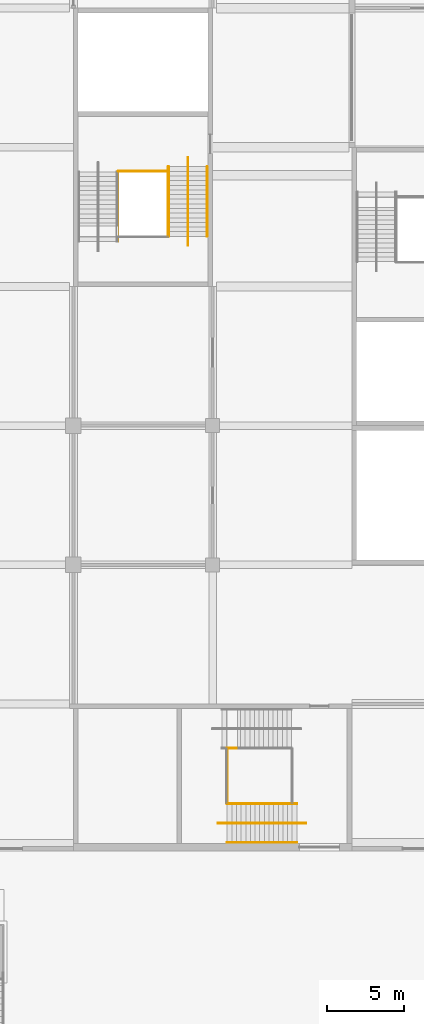
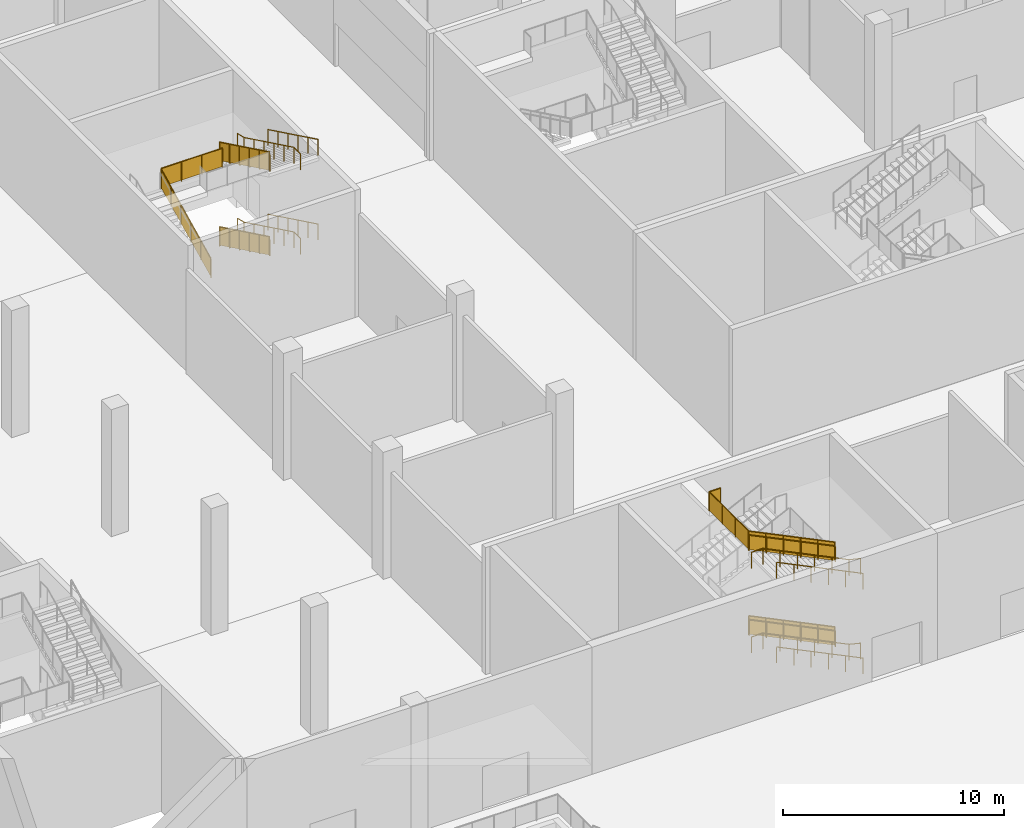
# One storey, part 56 of 92: 19 railings.
"""IFC4 building model written with IfcOpenShell, lengths in metres."""

from ifc_helpers import new_model, si_unit, direction, frame, origin, origin_2d, place, context, subcontext, project, spatial, polyline, circle, outline, extrude, material, type_object, element, save


model = new_model("IFC4")

# Units and contexts
model_context = context("Model", 3, precision=1e-05, world=origin(), true_north=direction((0.0, 1.0)))
body_context = subcontext(model_context, "Body", "Model", "MODEL_VIEW")
ifc_project = project(units=[si_unit("LENGTHUNIT", "METRE"), si_unit("AREAUNIT", "SQUARE_METRE"), si_unit("VOLUMEUNIT", "CUBIC_METRE"), si_unit("PLANEANGLEUNIT", "RADIAN"), si_unit("MASSUNIT", "GRAM", prefix="KILO")], contexts=[model_context])

# Site, building, storey
site_placement = place(None, origin())
site = spatial("IfcSite", under=ifc_project, at=site_placement, CompositionType="ELEMENT")
building_placement = place(site_placement, origin())
building = spatial("IfcBuilding", under=site, at=building_placement, Name="Silverbay Arena", CompositionType="ELEMENT")
storey_placement = place(building_placement, origin())
storey = spatial("IfcBuildingStorey", under=building, at=storey_placement, Name="L00", CompositionType="ELEMENT", Elevation=0.0)

# Railings
ifc_material_1 = material(Name="Stainless steel", Category="steel")
railing_type_1 = type_object("IfcRailingType", Name="Stair guard 1100", PredefinedType="GUARDRAIL", material=ifc_material_1)
railing_1_placement = place(storey_placement, frame((68.443115234375, 20.574951171875, 0.145751953125)))
element("IfcRailing", 1, at=railing_1_placement, inside=storey, type_object=railing_type_1, Name="Stair ST-S5 L00 to L01 flight 1 guard left", PredefinedType="GUARDRAIL", context=body_context, shape_type="SweptSolid", body=[
    extrude(circle(Radius=0.02392578125, at=origin_2d()), frame((0.0, 0.0, 1.076171875), z_axis=(-0.899367854138, 0.0, 0.437192706873), x_axis=(0.0, -1.0, 0.0)), (0.0, 0.0, 1.0), 5.00341796875),
    extrude(outline(polyline([(-0.008056640625, 0.046142578125), (0.907958984375, 0.491455078125), (0.907958984375, 1.494384765625), (-0.008056640625, 1.049072265625), (-0.008056640625, 0.046142578125)])), frame((0.0, -0.0029296875, 0.0), z_axis=(0.0, 1.0, 0.0), x_axis=(-1.0, 0.0, 0.0)), (0.0, 0.0, 1.0), 0.006103515625),
    extrude(outline(polyline([(-0.008056640625, 0.483642578125), (0.907958984375, 0.928955078125), (0.907958984375, 1.931884765625), (-0.008056640625, 1.486572265625), (-0.008056640625, 0.483642578125)])), frame((-0.89990234375, -0.0029296875, 0.0), z_axis=(0.0, 1.0, 0.0), x_axis=(-1.0, 0.0, 0.0)), (0.0, 0.0, 1.0), 0.006103515625),
    extrude(outline(polyline([(-0.008056640625, 0.921142578125), (0.907958984375, 1.366455078125), (0.907958984375, 2.369384765625), (-0.008056640625, 1.924072265625), (-0.008056640625, 0.921142578125)])), frame((-1.800048828125, -0.0029296875, 0.0), z_axis=(0.0, 1.0, 0.0), x_axis=(-1.0, 0.0, 0.0)), (0.0, 0.0, 1.0), 0.006103515625),
    extrude(outline(polyline([(-0.008056640625, 1.358642578125), (0.907958984375, 1.803955078125), (0.907958984375, 2.806884765625), (-0.008056640625, 2.361572265625), (-0.008056640625, 1.358642578125)])), frame((-2.699951171875, -0.0029296875, 0.0), z_axis=(0.0, 1.0, 0.0), x_axis=(-1.0, 0.0, 0.0)), (0.0, 0.0, 1.0), 0.006103515625),
    extrude(outline(polyline([(-0.008056640625, 1.796142578125), (0.907958984375, 2.241455078125), (0.907958984375, 3.244384765625), (-0.008056640625, 2.799072265625), (-0.008056640625, 1.796142578125)])), frame((-3.60009765625, -0.0029296875, 0.0), z_axis=(0.0, 1.0, 0.0), x_axis=(-1.0, 0.0, 0.0)), (0.0, 0.0, 1.0), 0.006103515625),
    extrude(circle(Radius=0.02099609375, at=origin_2d()), origin(), (0.0, 0.0, 1.0), 1.052001953125),
    extrude(circle(Radius=0.02099609375, at=origin_2d()), frame((-0.89990234375, 0.0, 0.4375)), (0.0, 0.0, 1.0), 1.052001953125),
    extrude(circle(Radius=0.02099609375, at=origin_2d()), frame((-1.800048828125, 0.0, 0.875)), (0.0, 0.0, 1.0), 1.052001953125),
    extrude(circle(Radius=0.02099609375, at=origin_2d()), frame((-2.699951171875, 0.0, 1.3125)), (0.0, 0.0, 1.0), 1.052001953125),
    extrude(circle(Radius=0.02099609375, at=origin_2d()), frame((-3.60009765625, 0.0, 1.75)), (0.0, 0.0, 1.0), 1.052001953125),
    extrude(circle(Radius=0.02099609375, at=origin_2d()), frame((-4.5, 0.0, 2.1875)), (0.0, 0.0, 1.0), 1.052001953125),
])
railing_2_placement = place(storey_placement, frame((68.443115234375, 20.574951171875, 4.8125)))
element("IfcRailing", 2, at=railing_2_placement, inside=storey, type_object=railing_type_1, Name="Stair ST-S5 L00 to L01 flight 3 guard left", PredefinedType="GUARDRAIL", context=body_context, shape_type="SweptSolid", body=[
    extrude(circle(Radius=0.02392578125, at=origin_2d()), frame((0.0, 0.0, 1.076171875), z_axis=(-0.899367854138, 0.0, 0.437192706873), x_axis=(0.0, -1.0, 0.0)), (0.0, 0.0, 1.0), 5.00341796875),
    extrude(outline(polyline([(-0.008056640625, 0.046142578125), (0.907958984375, 0.491455078125), (0.907958984375, 1.494384765625), (-0.008056640625, 1.049072265625), (-0.008056640625, 0.046142578125)])), frame((0.0, -0.0029296875, 0.0), z_axis=(0.0, 1.0, 0.0), x_axis=(-1.0, 0.0, 0.0)), (0.0, 0.0, 1.0), 0.006103515625),
    extrude(outline(polyline([(-0.008056640625, 0.483642578125), (0.907958984375, 0.928955078125), (0.907958984375, 1.931884765625), (-0.008056640625, 1.486572265625), (-0.008056640625, 0.483642578125)])), frame((-0.89990234375, -0.0029296875, 0.0), z_axis=(0.0, 1.0, 0.0), x_axis=(-1.0, 0.0, 0.0)), (0.0, 0.0, 1.0), 0.006103515625),
    extrude(outline(polyline([(-0.008056640625, 0.921142578125), (0.907958984375, 1.366455078125), (0.907958984375, 2.369384765625), (-0.008056640625, 1.924072265625), (-0.008056640625, 0.921142578125)])), frame((-1.800048828125, -0.0029296875, 0.0), z_axis=(0.0, 1.0, 0.0), x_axis=(-1.0, 0.0, 0.0)), (0.0, 0.0, 1.0), 0.006103515625),
    extrude(outline(polyline([(-0.008056640625, 1.358642578125), (0.907958984375, 1.803955078125), (0.907958984375, 2.806884765625), (-0.008056640625, 2.361572265625), (-0.008056640625, 1.358642578125)])), frame((-2.699951171875, -0.0029296875, 0.0), z_axis=(0.0, 1.0, 0.0), x_axis=(-1.0, 0.0, 0.0)), (0.0, 0.0, 1.0), 0.006103515625),
    extrude(outline(polyline([(-0.008056640625, 1.796142578125), (0.907958984375, 2.241455078125), (0.907958984375, 3.244384765625), (-0.008056640625, 2.799072265625), (-0.008056640625, 1.796142578125)])), frame((-3.60009765625, -0.0029296875, 0.0), z_axis=(0.0, 1.0, 0.0), x_axis=(-1.0, 0.0, 0.0)), (0.0, 0.0, 1.0), 0.006103515625),
    extrude(circle(Radius=0.02099609375, at=origin_2d()), origin(), (0.0, 0.0, 1.0), 1.052001953125),
    extrude(circle(Radius=0.02099609375, at=origin_2d()), frame((-0.89990234375, 0.0, 0.4375)), (0.0, 0.0, 1.0), 1.052001953125),
    extrude(circle(Radius=0.02099609375, at=origin_2d()), frame((-1.800048828125, 0.0, 0.875)), (0.0, 0.0, 1.0), 1.052001953125),
    extrude(circle(Radius=0.02099609375, at=origin_2d()), frame((-2.699951171875, 0.0, 1.3125)), (0.0, 0.0, 1.0), 1.052001953125),
    extrude(circle(Radius=0.02099609375, at=origin_2d()), frame((-3.60009765625, 0.0, 1.75)), (0.0, 0.0, 1.0), 1.052001953125),
    extrude(circle(Radius=0.02099609375, at=origin_2d()), frame((-4.5, 0.0, 2.1875)), (0.0, 0.0, 1.0), 1.052001953125),
])
railing_3_placement = place(storey_placement, frame((64.550048828125, 24.14990234375, 7.0)))
element("IfcRailing", 3, at=railing_3_placement, inside=storey, type_object=railing_type_1, Name="Stair ST-S5 L00 to L01 landing 3 guard", PredefinedType="GUARDRAIL", context=body_context, shape_type="SweptSolid", body=[
    extrude(circle(Radius=0.02392578125, at=origin_2d()), frame((0.0, 0.0, 1.076171875), z_axis=(-1.0, 0.0, 0.0), x_axis=(0.0, -1.0, 0.0)), (0.0, 0.0, 1.0), 0.60693359375),
    extrude(outline(polyline([(-0.008056640625, 0.050048828125), (0.614990234375, 0.050048828125), (0.614990234375, 1.052978515625), (-0.008056640625, 1.052978515625), (-0.008056640625, 0.050048828125)])), frame((0.0, -0.0029296875, 0.0), z_axis=(0.0, 1.0, 0.0), x_axis=(-1.0, 0.0, 0.0)), (0.0, 0.0, 1.0), 0.006103515625),
    extrude(circle(Radius=0.02392578125, at=origin_2d()), frame((-0.60693359375, 0.0, 1.076171875), z_axis=(0.0, -1.0, 0.0), x_axis=(1.0, 0.0, 0.0)), (0.0, 0.0, 1.0), 3.5498046875),
    extrude(outline(polyline([(-0.008056640625, 0.050048828125), (1.191162109375, 0.050048828125), (1.191162109375, 1.052978515625), (-0.008056640625, 1.052978515625), (-0.008056640625, 0.050048828125)])), frame((-0.60400390625, 0.0, 0.0), z_axis=(-1.0, 0.0, 0.0), x_axis=(0.0, -1.0, 0.0)), (0.0, 0.0, 1.0), 0.006103515625),
    extrude(outline(polyline([(-0.008056640625, 0.050048828125), (1.191162109375, 0.050048828125), (1.191162109375, 1.052978515625), (-0.008056640625, 1.052978515625), (-0.008056640625, 0.050048828125)])), frame((-0.60400390625, -1.183349609375, 0.0), z_axis=(-1.0, 0.0, 0.0), x_axis=(0.0, -1.0, 0.0)), (0.0, 0.0, 1.0), 0.006103515625),
    extrude(outline(polyline([(-0.008056640625, 0.050048828125), (1.191162109375, 0.050048828125), (1.191162109375, 1.052978515625), (-0.008056640625, 1.052978515625), (-0.008056640625, 0.050048828125)])), frame((-0.60400390625, -2.366455078125, 0.0), z_axis=(-1.0, 0.0, 0.0), x_axis=(0.0, -1.0, 0.0)), (0.0, 0.0, 1.0), 0.006103515625),
    extrude(circle(Radius=0.02099609375, at=origin_2d()), origin(), (0.0, 0.0, 1.0), 1.052001953125),
    extrude(circle(Radius=0.02099609375, at=origin_2d()), frame((-0.60693359375, 0.0, 0.0)), (0.0, 0.0, 1.0), 1.052001953125),
    extrude(circle(Radius=0.02099609375, at=origin_2d()), frame((-0.60693359375, -1.183349609375, 0.0)), (0.0, 0.0, 1.0), 1.052001953125),
    extrude(circle(Radius=0.02099609375, at=origin_2d()), frame((-0.60693359375, -2.366455078125, 0.0)), (0.0, 0.0, 1.0), 1.052001953125),
    extrude(circle(Radius=0.02099609375, at=origin_2d()), frame((-0.60693359375, -3.5498046875, 0.0)), (0.0, 0.0, 1.0), 1.052001953125),
])
railing_4_placement = place(storey_placement, frame((60.125, 61.7431640625, 0.145751953125)))
element("IfcRailing", 4, at=railing_4_placement, inside=storey, type_object=railing_type_1, Name="Stair ST-W1 L00 to L01 flight 1 guard right", PredefinedType="GUARDRAIL", context=body_context, shape_type="SweptSolid", body=[
    extrude(circle(Radius=0.02392578125, at=origin_2d()), frame((0.0, 0.0, 1.076171875), z_axis=(0.0, -0.899367854138, 0.437192706873), x_axis=(1.0, 0.0, 0.0)), (0.0, 0.0, 1.0), 5.00341796875),
    extrude(outline(polyline([(-0.008056640625, 0.046142578125), (0.907958984375, 0.491455078125), (0.907958984375, 1.494384765625), (-0.008056640625, 1.049072265625), (-0.008056640625, 0.046142578125)])), frame((0.0029296875, 0.0, 0.0), z_axis=(-1.0, 0.0, 0.0), x_axis=(0.0, -1.0, 0.0)), (0.0, 0.0, 1.0), 0.006103515625),
    extrude(outline(polyline([(-0.008056640625, 0.483642578125), (0.907958984375, 0.928955078125), (0.907958984375, 1.931884765625), (-0.008056640625, 1.486572265625), (-0.008056640625, 0.483642578125)])), frame((0.0029296875, -0.89990234375, 0.0), z_axis=(-1.0, 0.0, 0.0), x_axis=(0.0, -1.0, 0.0)), (0.0, 0.0, 1.0), 0.006103515625),
    extrude(outline(polyline([(-0.008056640625, 0.921142578125), (0.907958984375, 1.366455078125), (0.907958984375, 2.369384765625), (-0.008056640625, 1.924072265625), (-0.008056640625, 0.921142578125)])), frame((0.0029296875, -1.800048828125, 0.0), z_axis=(-1.0, 0.0, 0.0), x_axis=(0.0, -1.0, 0.0)), (0.0, 0.0, 1.0), 0.006103515625),
    extrude(outline(polyline([(-0.008056640625, 1.358642578125), (0.907958984375, 1.803955078125), (0.907958984375, 2.806884765625), (-0.008056640625, 2.361572265625), (-0.008056640625, 1.358642578125)])), frame((0.0029296875, -2.699951171875, 0.0), z_axis=(-1.0, 0.0, 0.0), x_axis=(0.0, -1.0, 0.0)), (0.0, 0.0, 1.0), 0.006103515625),
    extrude(outline(polyline([(-0.008056640625, 1.796142578125), (0.907958984375, 2.241455078125), (0.907958984375, 3.244384765625), (-0.008056640625, 2.799072265625), (-0.008056640625, 1.796142578125)])), frame((0.0029296875, -3.60009765625, 0.0), z_axis=(-1.0, 0.0, 0.0), x_axis=(0.0, -1.0, 0.0)), (0.0, 0.0, 1.0), 0.006103515625),
    extrude(circle(Radius=0.02099609375, at=origin_2d()), origin(), (0.0, 0.0, 1.0), 1.052001953125),
    extrude(circle(Radius=0.02099609375, at=origin_2d()), frame((0.0, -0.89990234375, 0.4375)), (0.0, 0.0, 1.0), 1.052001953125),
    extrude(circle(Radius=0.02099609375, at=origin_2d()), frame((0.0, -1.800048828125, 0.875)), (0.0, 0.0, 1.0), 1.052001953125),
    extrude(circle(Radius=0.02099609375, at=origin_2d()), frame((0.0, -2.699951171875, 1.3125)), (0.0, 0.0, 1.0), 1.052001953125),
    extrude(circle(Radius=0.02099609375, at=origin_2d()), frame((0.0, -3.60009765625, 1.75)), (0.0, 0.0, 1.0), 1.052001953125),
    extrude(circle(Radius=0.02099609375, at=origin_2d()), frame((0.0, -4.5, 2.1875)), (0.0, 0.0, 1.0), 1.052001953125),
])
railing_5_placement = place(storey_placement, frame((56.875, 56.89990234375, 2.479248046875)))
element("IfcRailing", 5, at=railing_5_placement, inside=storey, type_object=railing_type_1, Name="Stair ST-W1 L00 to L01 flight 2 guard left", PredefinedType="GUARDRAIL", context=body_context, shape_type="SweptSolid", body=[
    extrude(circle(Radius=0.02392578125, at=origin_2d()), frame((0.0, 0.0, 1.076171875), z_axis=(0.0, 0.899367854138, 0.437192706873), x_axis=(-1.0, 0.0, 0.0)), (0.0, 0.0, 1.0), 5.00341796875),
    extrude(outline(polyline([(-0.008056640625, 0.046142578125), (0.907958984375, 0.491455078125), (0.907958984375, 1.494384765625), (-0.008056640625, 1.049072265625), (-0.008056640625, 0.046142578125)])), frame((-0.0029296875, 0.0, 0.0), z_axis=(1.0, 0.0, 0.0), x_axis=(0.0, 1.0, 0.0)), (0.0, 0.0, 1.0), 0.006103515625),
    extrude(outline(polyline([(-0.008056640625, 0.483642578125), (0.907958984375, 0.928955078125), (0.907958984375, 1.931884765625), (-0.008056640625, 1.486572265625), (-0.008056640625, 0.483642578125)])), frame((-0.0029296875, 0.89990234375, 0.0), z_axis=(1.0, 0.0, 0.0), x_axis=(0.0, 1.0, 0.0)), (0.0, 0.0, 1.0), 0.006103515625),
    extrude(outline(polyline([(-0.008056640625, 0.921142578125), (0.907958984375, 1.366455078125), (0.907958984375, 2.369384765625), (-0.008056640625, 1.924072265625), (-0.008056640625, 0.921142578125)])), frame((-0.0029296875, 1.800048828125, 0.0), z_axis=(1.0, 0.0, 0.0), x_axis=(0.0, 1.0, 0.0)), (0.0, 0.0, 1.0), 0.006103515625),
    extrude(outline(polyline([(-0.008056640625, 1.358642578125), (0.907958984375, 1.803955078125), (0.907958984375, 2.806884765625), (-0.008056640625, 2.361572265625), (-0.008056640625, 1.358642578125)])), frame((-0.0029296875, 2.699951171875, 0.0), z_axis=(1.0, 0.0, 0.0), x_axis=(0.0, 1.0, 0.0)), (0.0, 0.0, 1.0), 0.006103515625),
    extrude(outline(polyline([(-0.008056640625, 1.796142578125), (0.907958984375, 2.241455078125), (0.907958984375, 3.244384765625), (-0.008056640625, 2.799072265625), (-0.008056640625, 1.796142578125)])), frame((-0.0029296875, 3.60009765625, 0.0), z_axis=(1.0, 0.0, 0.0), x_axis=(0.0, 1.0, 0.0)), (0.0, 0.0, 1.0), 0.006103515625),
    extrude(circle(Radius=0.02099609375, at=origin_2d()), origin(), (0.0, 0.0, 1.0), 1.052001953125),
    extrude(circle(Radius=0.02099609375, at=origin_2d()), frame((0.0, 0.89990234375, 0.4375)), (0.0, 0.0, 1.0), 1.052001953125),
    extrude(circle(Radius=0.02099609375, at=origin_2d()), frame((0.0, 1.800048828125, 0.875)), (0.0, 0.0, 1.0), 1.052001953125),
    extrude(circle(Radius=0.02099609375, at=origin_2d()), frame((0.0, 2.699951171875, 1.3125)), (0.0, 0.0, 1.0), 1.052001953125),
    extrude(circle(Radius=0.02099609375, at=origin_2d()), frame((0.0, 3.60009765625, 1.75)), (0.0, 0.0, 1.0), 1.052001953125),
    extrude(circle(Radius=0.02099609375, at=origin_2d()), frame((0.0, 4.5, 2.1875)), (0.0, 0.0, 1.0), 1.052001953125),
])
railing_6_placement = place(storey_placement, frame((60.125, 61.7431640625, 4.8125)))
element("IfcRailing", 6, at=railing_6_placement, inside=storey, type_object=railing_type_1, Name="Stair ST-W1 L00 to L01 flight 3 guard right", PredefinedType="GUARDRAIL", context=body_context, shape_type="SweptSolid", body=[
    extrude(circle(Radius=0.02392578125, at=origin_2d()), frame((0.0, 0.0, 1.076171875), z_axis=(0.0, -0.899367854138, 0.437192706873), x_axis=(1.0, 0.0, 0.0)), (0.0, 0.0, 1.0), 5.00341796875),
    extrude(outline(polyline([(-0.008056640625, 0.046142578125), (0.907958984375, 0.491455078125), (0.907958984375, 1.494384765625), (-0.008056640625, 1.049072265625), (-0.008056640625, 0.046142578125)])), frame((0.0029296875, 0.0, 0.0), z_axis=(-1.0, 0.0, 0.0), x_axis=(0.0, -1.0, 0.0)), (0.0, 0.0, 1.0), 0.006103515625),
    extrude(outline(polyline([(-0.008056640625, 0.483642578125), (0.907958984375, 0.928955078125), (0.907958984375, 1.931884765625), (-0.008056640625, 1.486572265625), (-0.008056640625, 0.483642578125)])), frame((0.0029296875, -0.89990234375, 0.0), z_axis=(-1.0, 0.0, 0.0), x_axis=(0.0, -1.0, 0.0)), (0.0, 0.0, 1.0), 0.006103515625),
    extrude(outline(polyline([(-0.008056640625, 0.921142578125), (0.907958984375, 1.366455078125), (0.907958984375, 2.369384765625), (-0.008056640625, 1.924072265625), (-0.008056640625, 0.921142578125)])), frame((0.0029296875, -1.800048828125, 0.0), z_axis=(-1.0, 0.0, 0.0), x_axis=(0.0, -1.0, 0.0)), (0.0, 0.0, 1.0), 0.006103515625),
    extrude(outline(polyline([(-0.008056640625, 1.358642578125), (0.907958984375, 1.803955078125), (0.907958984375, 2.806884765625), (-0.008056640625, 2.361572265625), (-0.008056640625, 1.358642578125)])), frame((0.0029296875, -2.699951171875, 0.0), z_axis=(-1.0, 0.0, 0.0), x_axis=(0.0, -1.0, 0.0)), (0.0, 0.0, 1.0), 0.006103515625),
    extrude(outline(polyline([(-0.008056640625, 1.796142578125), (0.907958984375, 2.241455078125), (0.907958984375, 3.244384765625), (-0.008056640625, 2.799072265625), (-0.008056640625, 1.796142578125)])), frame((0.0029296875, -3.60009765625, 0.0), z_axis=(-1.0, 0.0, 0.0), x_axis=(0.0, -1.0, 0.0)), (0.0, 0.0, 1.0), 0.006103515625),
    extrude(circle(Radius=0.02099609375, at=origin_2d()), origin(), (0.0, 0.0, 1.0), 1.052001953125),
    extrude(circle(Radius=0.02099609375, at=origin_2d()), frame((0.0, -0.89990234375, 0.4375)), (0.0, 0.0, 1.0), 1.052001953125),
    extrude(circle(Radius=0.02099609375, at=origin_2d()), frame((0.0, -1.800048828125, 0.875)), (0.0, 0.0, 1.0), 1.052001953125),
    extrude(circle(Radius=0.02099609375, at=origin_2d()), frame((0.0, -2.699951171875, 1.3125)), (0.0, 0.0, 1.0), 1.052001953125),
    extrude(circle(Radius=0.02099609375, at=origin_2d()), frame((0.0, -3.60009765625, 1.75)), (0.0, 0.0, 1.0), 1.052001953125),
    extrude(circle(Radius=0.02099609375, at=origin_2d()), frame((0.0, -4.5, 2.1875)), (0.0, 0.0, 1.0), 1.052001953125),
])
railing_7_placement = place(storey_placement, frame((60.10009765625, 61.449951171875, 4.666748046875)))
element("IfcRailing", 7, at=railing_7_placement, inside=storey, type_object=railing_type_1, Name="Stair ST-W1 L00 to L01 landing 2 guard", PredefinedType="GUARDRAIL", context=body_context, shape_type="SweptSolid", body=[
    extrude(circle(Radius=0.02392578125, at=origin_2d()), frame((0.0, 0.0, 1.076171875), z_axis=(-1.0, 0.0, 0.0), x_axis=(0.0, -1.0, 0.0)), (0.0, 0.0, 1.0), 3.2001953125),
    extrude(outline(polyline([(-0.008056640625, 0.050048828125), (1.07470703125, 0.050048828125), (1.07470703125, 1.052978515625), (-0.008056640625, 1.052978515625), (-0.008056640625, 0.050048828125)])), frame((0.0, -0.0029296875, 0.0), z_axis=(0.0, 1.0, 0.0), x_axis=(-1.0, 0.0, 0.0)), (0.0, 0.0, 1.0), 0.006103515625),
    extrude(outline(polyline([(-0.008056640625, 0.050048828125), (1.07470703125, 0.050048828125), (1.07470703125, 1.052978515625), (-0.008056640625, 1.052978515625), (-0.008056640625, 0.050048828125)])), frame((-1.066650390625, -0.0029296875, 0.0), z_axis=(0.0, 1.0, 0.0), x_axis=(-1.0, 0.0, 0.0)), (0.0, 0.0, 1.0), 0.006103515625),
    extrude(outline(polyline([(-0.008056640625, 0.050048828125), (1.07470703125, 0.050048828125), (1.07470703125, 1.052978515625), (-0.008056640625, 1.052978515625), (-0.008056640625, 0.050048828125)])), frame((-2.133544921875, -0.0029296875, 0.0), z_axis=(0.0, 1.0, 0.0), x_axis=(-1.0, 0.0, 0.0)), (0.0, 0.0, 1.0), 0.006103515625),
    extrude(circle(Radius=0.02099609375, at=origin_2d()), origin(), (0.0, 0.0, 1.0), 1.052001953125),
    extrude(circle(Radius=0.02099609375, at=origin_2d()), frame((-1.066650390625, 0.0, 0.0)), (0.0, 0.0, 1.0), 1.052001953125),
    extrude(circle(Radius=0.02099609375, at=origin_2d()), frame((-2.133544921875, 0.0, 0.0)), (0.0, 0.0, 1.0), 1.052001953125),
    extrude(circle(Radius=0.02099609375, at=origin_2d()), frame((-3.2001953125, 0.0, 0.0)), (0.0, 0.0, 1.0), 1.052001953125),
])
ifc_material_2 = material(Name="Stainless steel", Category="steel")
railing_type_2 = type_object("IfcRailingType", Name="Stair handrail 900", PredefinedType="HANDRAIL", material=ifc_material_2)
for number, where, name in (
    (8, (68.443115234375, 20.535888671875, 0.145751953125), "Stair ST-S5 L00 to L01 flight 1 handrail left"),
    (9, (68.443115234375, 18.050048828125, 0.145751953125), "Stair ST-S5 L00 to L01 flight 1 handrail right"),
):
    element("IfcRailing", number, at=place(storey_placement, frame(where)), inside=storey, type_object=railing_type_2, Name=name, PredefinedType="HANDRAIL", context=body_context, shape_type="SweptSolid", body=[
        extrude(circle(Radius=0.02392578125, at=origin_2d()), frame((0.0, 0.0, 0.8759765625), z_axis=(-0.899367854138, 0.0, 0.437192706873), x_axis=(0.0, -1.0, 0.0)), (0.0, 0.0, 1.0), 5.00341796875),
        extrude(circle(Radius=0.02099609375, at=origin_2d()), origin(), (0.0, 0.0, 1.0), 0.851806640625),
        extrude(circle(Radius=0.02099609375, at=origin_2d()), frame((-0.89990234375, 0.0, 0.4375)), (0.0, 0.0, 1.0), 0.851806640625),
        extrude(circle(Radius=0.02099609375, at=origin_2d()), frame((-1.800048828125, 0.0, 0.875)), (0.0, 0.0, 1.0), 0.851806640625),
        extrude(circle(Radius=0.02099609375, at=origin_2d()), frame((-2.699951171875, 0.0, 1.3125)), (0.0, 0.0, 1.0), 0.851806640625),
        extrude(circle(Radius=0.02099609375, at=origin_2d()), frame((-3.60009765625, 0.0, 1.75)), (0.0, 0.0, 1.0), 0.851806640625),
        extrude(circle(Radius=0.02099609375, at=origin_2d()), frame((-4.5, 0.0, 2.1875)), (0.0, 0.0, 1.0), 0.851806640625),
    ])
railing_8_placement = place(storey_placement, frame((69.043212890625, 19.300048828125, 0.0)))
element("IfcRailing", 10, at=railing_8_placement, inside=storey, type_object=railing_type_2, Name="Stair ST-S5 L00 to L01 flight 1 central handrail", PredefinedType="HANDRAIL", context=body_context, shape_type="SweptSolid", body=[
    extrude(circle(Radius=0.02392578125, at=origin_2d()), frame((0.0, 0.0, 0.8759765625), z_axis=(-0.971748522905, 0.0, 0.236018660771), x_axis=(0.0, -1.0, 0.0)), (0.0, 0.0, 1.0), 0.617431640625),
    extrude(circle(Radius=0.02392578125, at=origin_2d()), frame((-0.60009765625, 0.0, 1.021484375), z_axis=(-0.899367854138, 0.0, 0.437192706873), x_axis=(0.0, -1.0, 0.0)), (0.0, 0.0, 1.0), 5.00341796875),
    extrude(circle(Radius=0.02392578125, at=origin_2d()), frame((-5.10009765625, 0.0, 3.208984375), z_axis=(-1.0, 0.0, 0.0), x_axis=(0.0, -1.0, 0.0)), (0.0, 0.0, 1.0), 0.60009765625),
    extrude(circle(Radius=0.02099609375, at=origin_2d()), origin(), (0.0, 0.0, 1.0), 0.851806640625),
    extrude(circle(Radius=0.02099609375, at=origin_2d()), frame((-0.60009765625, 0.0, 0.145751953125)), (0.0, 0.0, 1.0), 0.851806640625),
    extrude(circle(Radius=0.02099609375, at=origin_2d()), frame((-1.5, 0.0, 0.583251953125)), (0.0, 0.0, 1.0), 0.851806640625),
    extrude(circle(Radius=0.02099609375, at=origin_2d()), frame((-2.400146484375, 0.0, 1.020751953125)), (0.0, 0.0, 1.0), 0.851806640625),
    extrude(circle(Radius=0.02099609375, at=origin_2d()), frame((-3.300048828125, 0.0, 1.458251953125)), (0.0, 0.0, 1.0), 0.851806640625),
    extrude(circle(Radius=0.02099609375, at=origin_2d()), frame((-4.2001953125, 0.0, 1.895751953125)), (0.0, 0.0, 1.0), 0.851806640625),
    extrude(circle(Radius=0.02099609375, at=origin_2d()), frame((-5.10009765625, 0.0, 2.333251953125)), (0.0, 0.0, 1.0), 0.851806640625),
    extrude(circle(Radius=0.02099609375, at=origin_2d()), frame((-5.7001953125, 0.0, 2.333251953125)), (0.0, 0.0, 1.0), 0.851806640625),
])
for number, where, name in (
    (11, (68.443115234375, 20.535888671875, 4.8125), "Stair ST-S5 L00 to L01 flight 3 handrail left"),
    (12, (68.443115234375, 18.050048828125, 4.8125), "Stair ST-S5 L00 to L01 flight 3 handrail right"),
):
    element("IfcRailing", number, at=place(storey_placement, frame(where)), inside=storey, type_object=railing_type_2, Name=name, PredefinedType="HANDRAIL", context=body_context, shape_type="SweptSolid", body=[
        extrude(circle(Radius=0.02392578125, at=origin_2d()), frame((0.0, 0.0, 0.8759765625), z_axis=(-0.899367854138, 0.0, 0.437192706873), x_axis=(0.0, -1.0, 0.0)), (0.0, 0.0, 1.0), 5.00341796875),
        extrude(circle(Radius=0.02099609375, at=origin_2d()), origin(), (0.0, 0.0, 1.0), 0.851806640625),
        extrude(circle(Radius=0.02099609375, at=origin_2d()), frame((-0.89990234375, 0.0, 0.4375)), (0.0, 0.0, 1.0), 0.851806640625),
        extrude(circle(Radius=0.02099609375, at=origin_2d()), frame((-1.800048828125, 0.0, 0.875)), (0.0, 0.0, 1.0), 0.851806640625),
        extrude(circle(Radius=0.02099609375, at=origin_2d()), frame((-2.699951171875, 0.0, 1.3125)), (0.0, 0.0, 1.0), 0.851806640625),
        extrude(circle(Radius=0.02099609375, at=origin_2d()), frame((-3.60009765625, 0.0, 1.75)), (0.0, 0.0, 1.0), 0.851806640625),
        extrude(circle(Radius=0.02099609375, at=origin_2d()), frame((-4.5, 0.0, 2.1875)), (0.0, 0.0, 1.0), 0.851806640625),
    ])
railing_9_placement = place(storey_placement, frame((69.043212890625, 19.300048828125, 4.666748046875)))
element("IfcRailing", 13, at=railing_9_placement, inside=storey, type_object=railing_type_2, Name="Stair ST-S5 L00 to L01 flight 3 central handrail", PredefinedType="HANDRAIL", context=body_context, shape_type="SweptSolid", body=[
    extrude(circle(Radius=0.02392578125, at=origin_2d()), frame((0.0, 0.0, 0.8759765625), z_axis=(-0.971748522905, 0.0, 0.236018660771), x_axis=(0.0, -1.0, 0.0)), (0.0, 0.0, 1.0), 0.617431640625),
    extrude(circle(Radius=0.02392578125, at=origin_2d()), frame((-0.60009765625, 0.0, 1.021484375), z_axis=(-0.899367854138, 0.0, 0.437192706873), x_axis=(0.0, -1.0, 0.0)), (0.0, 0.0, 1.0), 5.00341796875),
    extrude(circle(Radius=0.02392578125, at=origin_2d()), frame((-5.10009765625, 0.0, 3.208984375), z_axis=(-1.0, 0.0, 0.0), x_axis=(0.0, -1.0, 0.0)), (0.0, 0.0, 1.0), 0.60009765625),
    extrude(circle(Radius=0.02099609375, at=origin_2d()), origin(), (0.0, 0.0, 1.0), 0.851806640625),
    extrude(circle(Radius=0.02099609375, at=origin_2d()), frame((-0.60009765625, 0.0, 0.145751953125)), (0.0, 0.0, 1.0), 0.851806640625),
    extrude(circle(Radius=0.02099609375, at=origin_2d()), frame((-1.5, 0.0, 0.583251953125)), (0.0, 0.0, 1.0), 0.851806640625),
    extrude(circle(Radius=0.02099609375, at=origin_2d()), frame((-2.400146484375, 0.0, 1.020751953125)), (0.0, 0.0, 1.0), 0.851806640625),
    extrude(circle(Radius=0.02099609375, at=origin_2d()), frame((-3.300048828125, 0.0, 1.458251953125)), (0.0, 0.0, 1.0), 0.851806640625),
    extrude(circle(Radius=0.02099609375, at=origin_2d()), frame((-4.2001953125, 0.0, 1.895751953125)), (0.0, 0.0, 1.0), 0.851806640625),
    extrude(circle(Radius=0.02099609375, at=origin_2d()), frame((-5.10009765625, 0.0, 2.333251953125)), (0.0, 0.0, 1.0), 0.851806640625),
    extrude(circle(Radius=0.02099609375, at=origin_2d()), frame((-5.7001953125, 0.0, 2.333251953125)), (0.0, 0.0, 1.0), 0.851806640625),
])
for number, where, name in (
    (14, (62.64990234375, 61.7431640625, 0.145751953125), "Stair ST-W1 L00 to L01 flight 1 handrail left"),
    (15, (60.1640625, 61.7431640625, 0.145751953125), "Stair ST-W1 L00 to L01 flight 1 handrail right"),
):
    element("IfcRailing", number, at=place(storey_placement, frame(where)), inside=storey, type_object=railing_type_2, Name=name, PredefinedType="HANDRAIL", context=body_context, shape_type="SweptSolid", body=[
        extrude(circle(Radius=0.02392578125, at=origin_2d()), frame((0.0, 0.0, 0.8759765625), z_axis=(0.0, -0.899367854138, 0.437192706873), x_axis=(1.0, 0.0, 0.0)), (0.0, 0.0, 1.0), 5.00341796875),
        extrude(circle(Radius=0.02099609375, at=origin_2d()), origin(), (0.0, 0.0, 1.0), 0.851806640625),
        extrude(circle(Radius=0.02099609375, at=origin_2d()), frame((0.0, -0.89990234375, 0.4375)), (0.0, 0.0, 1.0), 0.851806640625),
        extrude(circle(Radius=0.02099609375, at=origin_2d()), frame((0.0, -1.800048828125, 0.875)), (0.0, 0.0, 1.0), 0.851806640625),
        extrude(circle(Radius=0.02099609375, at=origin_2d()), frame((0.0, -2.699951171875, 1.3125)), (0.0, 0.0, 1.0), 0.851806640625),
        extrude(circle(Radius=0.02099609375, at=origin_2d()), frame((0.0, -3.60009765625, 1.75)), (0.0, 0.0, 1.0), 0.851806640625),
        extrude(circle(Radius=0.02099609375, at=origin_2d()), frame((0.0, -4.5, 2.1875)), (0.0, 0.0, 1.0), 0.851806640625),
    ])
railing_10_placement = place(storey_placement, frame((61.39990234375, 62.343017578125, 0.0)))
element("IfcRailing", 16, at=railing_10_placement, inside=storey, type_object=railing_type_2, Name="Stair ST-W1 L00 to L01 flight 1 central handrail", PredefinedType="HANDRAIL", context=body_context, shape_type="SweptSolid", body=[
    extrude(circle(Radius=0.02392578125, at=origin_2d()), frame((0.0, 0.0, 0.8759765625), z_axis=(0.0, -0.971726487806, 0.23610936639), x_axis=(1.0, 0.0, 0.0)), (0.0, 0.0, 1.0), 0.6171875),
    extrude(circle(Radius=0.02392578125, at=origin_2d()), frame((0.0, -0.599853515625, 1.021484375), z_axis=(0.0, -0.899367854138, 0.437192706873), x_axis=(1.0, 0.0, 0.0)), (0.0, 0.0, 1.0), 5.00341796875),
    extrude(circle(Radius=0.02392578125, at=origin_2d()), frame((0.0, -5.099853515625, 3.208984375), z_axis=(0.0, -1.0, 0.0), x_axis=(1.0, 0.0, 0.0)), (0.0, 0.0, 1.0), 0.60009765625),
    extrude(circle(Radius=0.02099609375, at=origin_2d()), origin(), (0.0, 0.0, 1.0), 0.851806640625),
    extrude(circle(Radius=0.02099609375, at=origin_2d()), frame((0.0, -0.599853515625, 0.145751953125)), (0.0, 0.0, 1.0), 0.851806640625),
    extrude(circle(Radius=0.02099609375, at=origin_2d()), frame((0.0, -1.499755859375, 0.583251953125)), (0.0, 0.0, 1.0), 0.851806640625),
    extrude(circle(Radius=0.02099609375, at=origin_2d()), frame((0.0, -2.39990234375, 1.020751953125)), (0.0, 0.0, 1.0), 0.851806640625),
    extrude(circle(Radius=0.02099609375, at=origin_2d()), frame((0.0, -3.2998046875, 1.458251953125)), (0.0, 0.0, 1.0), 0.851806640625),
    extrude(circle(Radius=0.02099609375, at=origin_2d()), frame((0.0, -4.199951171875, 1.895751953125)), (0.0, 0.0, 1.0), 0.851806640625),
    extrude(circle(Radius=0.02099609375, at=origin_2d()), frame((0.0, -5.099853515625, 2.333251953125)), (0.0, 0.0, 1.0), 0.851806640625),
    extrude(circle(Radius=0.02099609375, at=origin_2d()), frame((0.0, -5.699951171875, 2.333251953125)), (0.0, 0.0, 1.0), 0.851806640625),
])
for number, where, name in (
    (17, (62.64990234375, 61.7431640625, 4.8125), "Stair ST-W1 L00 to L01 flight 3 handrail left"),
    (18, (60.1640625, 61.7431640625, 4.8125), "Stair ST-W1 L00 to L01 flight 3 handrail right"),
):
    element("IfcRailing", number, at=place(storey_placement, frame(where)), inside=storey, type_object=railing_type_2, Name=name, PredefinedType="HANDRAIL", context=body_context, shape_type="SweptSolid", body=[
        extrude(circle(Radius=0.02392578125, at=origin_2d()), frame((0.0, 0.0, 0.8759765625), z_axis=(0.0, -0.899367854138, 0.437192706873), x_axis=(1.0, 0.0, 0.0)), (0.0, 0.0, 1.0), 5.00341796875),
        extrude(circle(Radius=0.02099609375, at=origin_2d()), origin(), (0.0, 0.0, 1.0), 0.851806640625),
        extrude(circle(Radius=0.02099609375, at=origin_2d()), frame((0.0, -0.89990234375, 0.4375)), (0.0, 0.0, 1.0), 0.851806640625),
        extrude(circle(Radius=0.02099609375, at=origin_2d()), frame((0.0, -1.800048828125, 0.875)), (0.0, 0.0, 1.0), 0.851806640625),
        extrude(circle(Radius=0.02099609375, at=origin_2d()), frame((0.0, -2.699951171875, 1.3125)), (0.0, 0.0, 1.0), 0.851806640625),
        extrude(circle(Radius=0.02099609375, at=origin_2d()), frame((0.0, -3.60009765625, 1.75)), (0.0, 0.0, 1.0), 0.851806640625),
        extrude(circle(Radius=0.02099609375, at=origin_2d()), frame((0.0, -4.5, 2.1875)), (0.0, 0.0, 1.0), 0.851806640625),
    ])
railing_11_placement = place(storey_placement, frame((61.39990234375, 62.343017578125, 4.666748046875)))
element("IfcRailing", 19, at=railing_11_placement, inside=storey, type_object=railing_type_2, Name="Stair ST-W1 L00 to L01 flight 3 central handrail", PredefinedType="HANDRAIL", context=body_context, shape_type="SweptSolid", body=[
    extrude(circle(Radius=0.02392578125, at=origin_2d()), frame((0.0, 0.0, 0.8759765625), z_axis=(0.0, -0.971726487806, 0.23610936639), x_axis=(1.0, 0.0, 0.0)), (0.0, 0.0, 1.0), 0.6171875),
    extrude(circle(Radius=0.02392578125, at=origin_2d()), frame((0.0, -0.599853515625, 1.021484375), z_axis=(0.0, -0.899367854138, 0.437192706873), x_axis=(1.0, 0.0, 0.0)), (0.0, 0.0, 1.0), 5.00341796875),
    extrude(circle(Radius=0.02392578125, at=origin_2d()), frame((0.0, -5.099853515625, 3.208984375), z_axis=(0.0, -1.0, 0.0), x_axis=(1.0, 0.0, 0.0)), (0.0, 0.0, 1.0), 0.60009765625),
    extrude(circle(Radius=0.02099609375, at=origin_2d()), origin(), (0.0, 0.0, 1.0), 0.851806640625),
    extrude(circle(Radius=0.02099609375, at=origin_2d()), frame((0.0, -0.599853515625, 0.145751953125)), (0.0, 0.0, 1.0), 0.851806640625),
    extrude(circle(Radius=0.02099609375, at=origin_2d()), frame((0.0, -1.499755859375, 0.583251953125)), (0.0, 0.0, 1.0), 0.851806640625),
    extrude(circle(Radius=0.02099609375, at=origin_2d()), frame((0.0, -2.39990234375, 1.020751953125)), (0.0, 0.0, 1.0), 0.851806640625),
    extrude(circle(Radius=0.02099609375, at=origin_2d()), frame((0.0, -3.2998046875, 1.458251953125)), (0.0, 0.0, 1.0), 0.851806640625),
    extrude(circle(Radius=0.02099609375, at=origin_2d()), frame((0.0, -4.199951171875, 1.895751953125)), (0.0, 0.0, 1.0), 0.851806640625),
    extrude(circle(Radius=0.02099609375, at=origin_2d()), frame((0.0, -5.099853515625, 2.333251953125)), (0.0, 0.0, 1.0), 0.851806640625),
    extrude(circle(Radius=0.02099609375, at=origin_2d()), frame((0.0, -5.699951171875, 2.333251953125)), (0.0, 0.0, 1.0), 0.851806640625),
])

save(model, "model.ifc")
